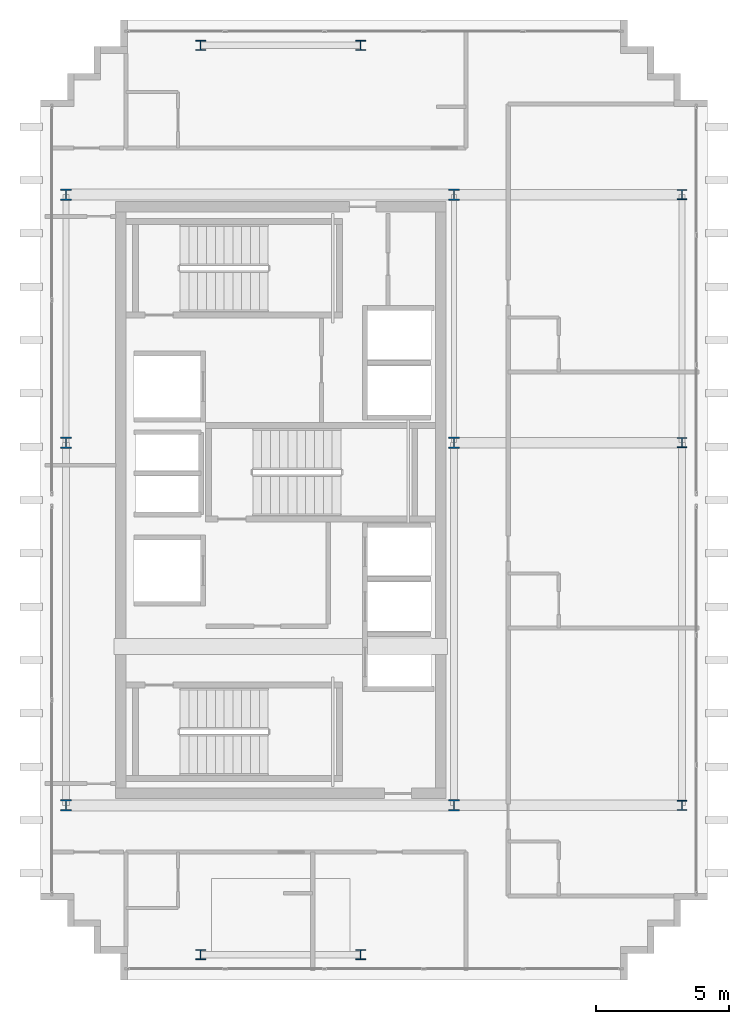
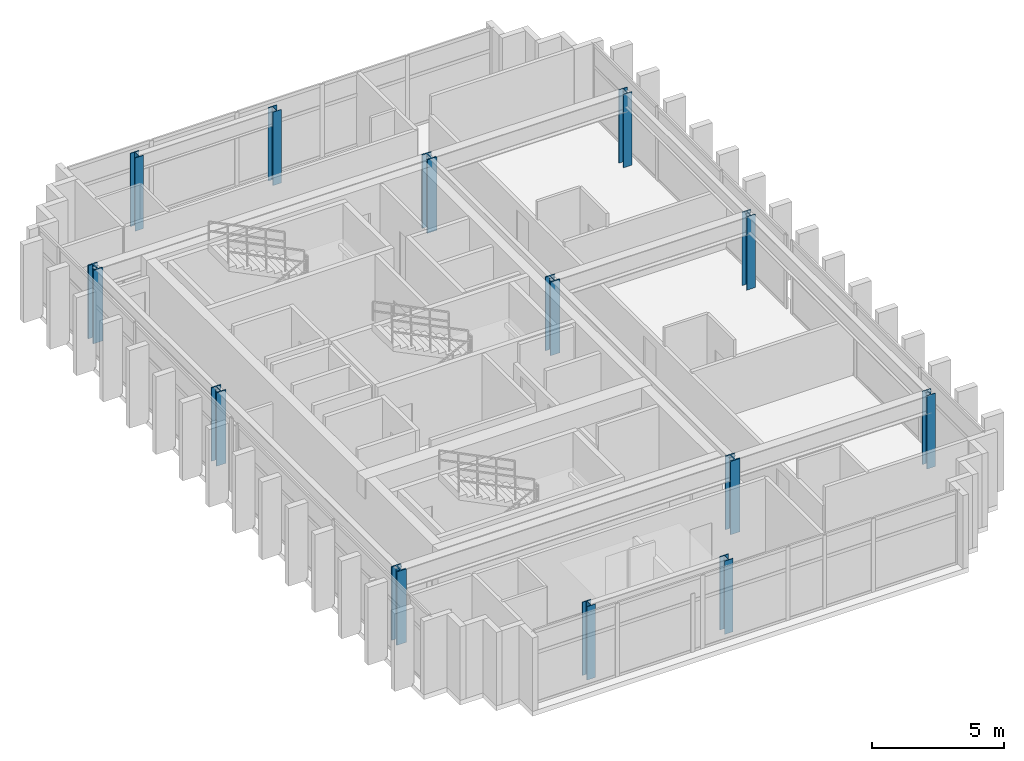
# One storey, part 1 of 15: 13 columns.
"""IFC4 building model written with IfcOpenShell, lengths in metres."""

from ifc_helpers import new_model, si_unit, direction, frame, origin, origin_2d, place, context, subcontext, project, spatial, i_section, extrude, source, transform, mapped, material, material_profile, profile_set, type_object, element, save


model = new_model("IFC4")

# Units and contexts
model_context = context("Model", 3, precision=1e-05, world=origin(), true_north=direction((0.0, 1.0)))
body_context = subcontext(model_context, "Body", "Model", "MODEL_VIEW")
ifc_project = project(units=[si_unit("LENGTHUNIT", "METRE"), si_unit("AREAUNIT", "SQUARE_METRE"), si_unit("VOLUMEUNIT", "CUBIC_METRE"), si_unit("PLANEANGLEUNIT", "RADIAN"), si_unit("MASSUNIT", "GRAM", prefix="KILO")], contexts=[model_context])

# Site, building, storey
site_placement = place(None, origin())
site = spatial("IfcSite", under=ifc_project, at=site_placement, CompositionType="ELEMENT")
building_placement = place(site_placement, origin())
building = spatial("IfcBuilding", under=site, at=building_placement, Name="Ocotamira Hotel", CompositionType="ELEMENT")
storey_placement = place(building_placement, frame((0.0, 0.0, 276.0)))
storey = spatial("IfcBuildingStorey", under=building, at=storey_placement, Name="L70", CompositionType="ELEMENT", Elevation=276.0)

# Columns
ifc_material_1 = material(Name="Steel ASTM A913 Grade 65", Category="steel")
ifc_material_profile_1 = material_profile(ifc_material_1, i_section(OverallWidth=0.412109375, OverallDepth=0.43505859375, WebThickness=0.035888671875, FlangeThickness=0.057373046875, FilletRadius=0.02490234375, at=origin_2d()), Name="W14X311")
ifc_profile_set_1 = profile_set([ifc_material_profile_1], Name="Steel ASTM A913 Grade 65")
column_type_1 = type_object("IfcColumnType", Name="COL-W14X311", PredefinedType="COLUMN", material=ifc_profile_set_1)
shared_shape_1 = source(origin(), body_context, "Body", "SweptSolid", [
    extrude(i_section(OverallWidth=0.412109375, OverallDepth=0.43505859375, WebThickness=0.035888671875, FlangeThickness=0.057373046875, FilletRadius=0.02490234375, at=origin_2d()), origin(), (0.0, 0.0, 1.0), 3.3798828125),
])
for number, where, z_axis, x_axis, name in (
    (1, (8.949951171875, 14.550048828125, 0.0), (0.0, 0.0, 1.0), (1.0, 0.0, 0.0), "L70 Column TW8_14"),
    (2, (23.5, 14.550048828125, 0.0), (0.0, 0.0, 1.0), (1.0, 0.0, 0.0), "L70 Column TW23_14"),
    (3, (8.949951171875, 28.14990234375, 0.0), (0.0, 0.0, 1.0), (1.0, 0.0, 0.0), "L70 Column TW8_28"),
    (4, (23.5, 28.14990234375, 0.0), (0.0, 0.0, 1.0), (1.0, 0.0, 0.0), "L70 Column TW23_28"),
    (5, (8.949951171875, 37.449951171875, 0.0), (0.0, 0.0, 1.0), (1.0, 0.0, 0.0), "L70 Column TW8_37"),
    (6, (23.5, 37.449951171875, 0.0), (0.0, 0.0, 1.0), (1.0, 0.0, 0.0), "L70 Column TW23_37"),
):
    element("IfcColumn", number, at=place(storey_placement, frame(where, z_axis=z_axis, x_axis=x_axis)), inside=storey, type_object=column_type_1, Name=name, PredefinedType="COLUMN", context=body_context, shape_type="MappedRepresentation", body=[
        mapped(shared_shape_1, transform((0.0, 0.0, 0.0), scale=1.0)),
    ])
ifc_material_2 = material(Name="Steel ASTM A992 Grade 50", Category="steel")
ifc_material_profile_2 = material_profile(ifc_material_2, i_section(OverallWidth=0.3740234375, OverallDepth=0.373046875, WebThickness=0.016357421875, FlangeThickness=0.026123046875, FilletRadius=0.02490234375, at=origin_2d()), Name="W14X132")
ifc_profile_set_2 = profile_set([ifc_material_profile_2], Name="Steel ASTM A992 Grade 50")
column_type_2 = type_object("IfcColumnType", Name="COL-W14X132", PredefinedType="COLUMN", material=ifc_profile_set_2)
shared_shape_2 = source(origin(), body_context, "Body", "SweptSolid", [
    extrude(i_section(OverallWidth=0.3740234375, OverallDepth=0.373046875, WebThickness=0.016357421875, FlangeThickness=0.026123046875, FilletRadius=0.02490234375, at=origin_2d()), origin(), (0.0, 0.0, 1.0), 3.3798828125),
])
for number, where, z_axis, x_axis, name in (
    (7, (14.0, 8.949951171875, 0.0), (0.0, 0.0, 1.0), (1.0, 0.0, 0.0), "L70 Column NSP1_14"),
    (8, (20.0, 8.949951171875, 0.0), (0.0, 0.0, 1.0), (1.0, 0.0, 0.0), "L70 Column NSP1_20"),
    (9, (14.0, 43.050048828125, 0.0), (0.0, 0.0, 1.0), (1.0, 0.0, 0.0), "L70 Column NSP2_14"),
    (10, (20.0, 43.050048828125, 0.0), (0.0, 0.0, 1.0), (1.0, 0.0, 0.0), "L70 Column NSP2_20"),
    (11, (32.050048828125, 14.550048828125, 0.0), (0.0, 0.0, 1.0), (1.0, 0.0, 0.0), "L70 Column WPE32_14"),
    (12, (32.050048828125, 28.14990234375, 0.0), (0.0, 0.0, 1.0), (1.0, 0.0, 0.0), "L70 Column WPE32_28"),
    (13, (32.050048828125, 37.449951171875, 0.0), (0.0, 0.0, 1.0), (1.0, 0.0, 0.0), "L70 Column WPE32_37"),
):
    element("IfcColumn", number, at=place(storey_placement, frame(where, z_axis=z_axis, x_axis=x_axis)), inside=storey, type_object=column_type_2, Name=name, PredefinedType="COLUMN", context=body_context, shape_type="MappedRepresentation", body=[
        mapped(shared_shape_2, transform((0.0, 0.0, 0.0), scale=1.0)),
    ])

save(model, "model.ifc")
